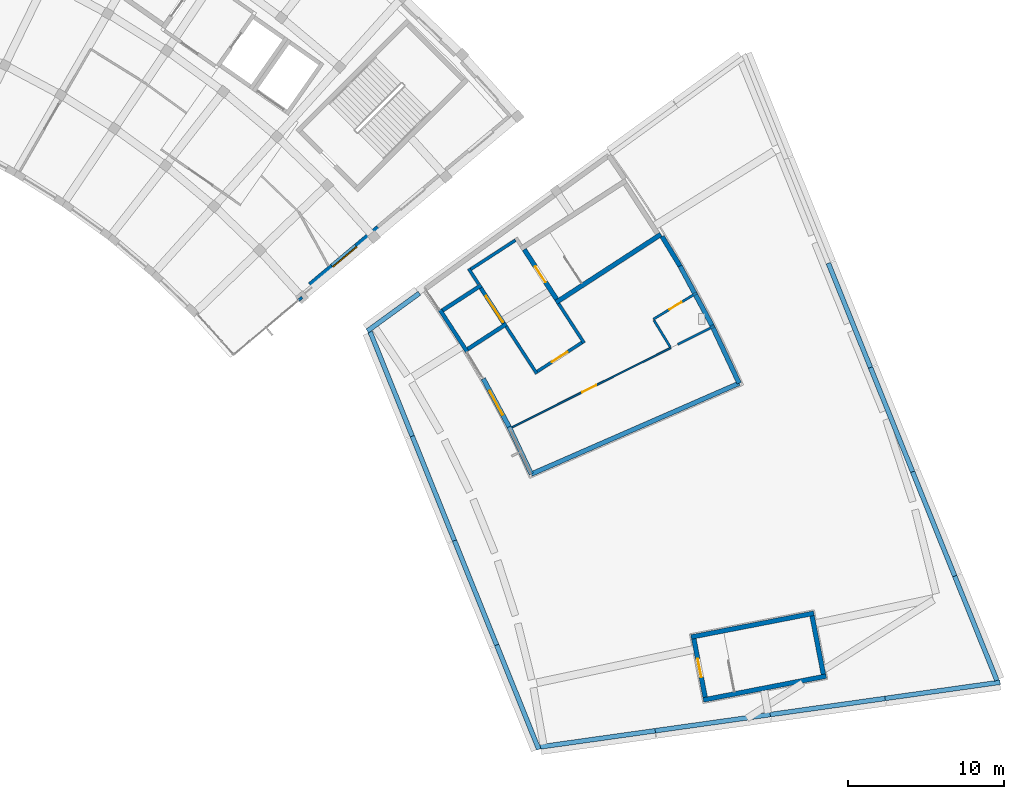
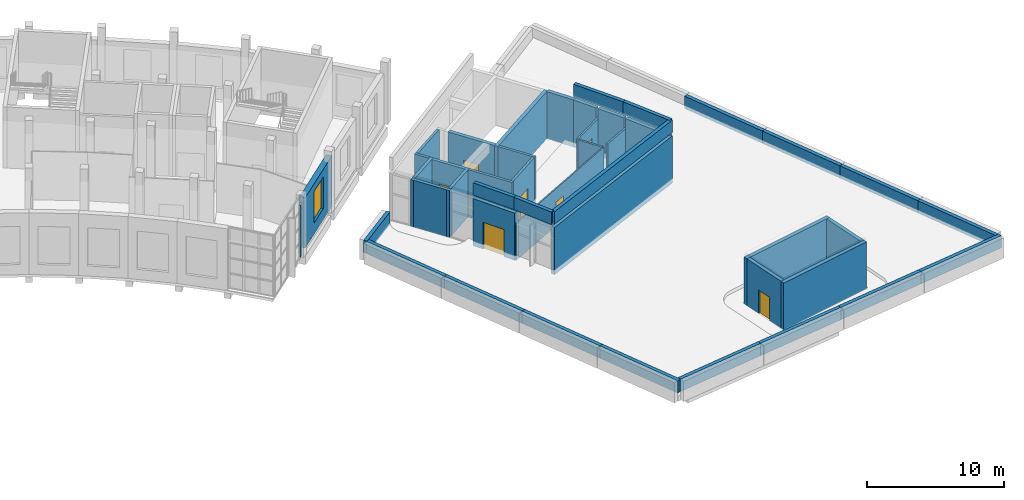
# One storey, part 79 of 132: 45 walls, 7 doors, 1 window, 8 openings.
"""IFC4 building model written with IfcOpenShell, lengths in metres."""

from ifc_helpers import new_model, si_unit, direction, frame, frame_2d, origin, place, context, subcontext, project, spatial, rectangle, extrude, material, layer, layer_set, type_object, element, fill, save


model = new_model("IFC4")

# Units and contexts
model_context = context("Model", 3, precision=1e-05, world=origin(), true_north=direction((0.0, 1.0)))
body_context = subcontext(model_context, "Body", "Model", "MODEL_VIEW")
ifc_project = project(units=[si_unit("LENGTHUNIT", "METRE"), si_unit("AREAUNIT", "SQUARE_METRE"), si_unit("VOLUMEUNIT", "CUBIC_METRE"), si_unit("PLANEANGLEUNIT", "RADIAN"), si_unit("MASSUNIT", "GRAM", prefix="KILO")], contexts=[model_context])

# Site, building, storey
site_placement = place(None, origin())
site = spatial("IfcSite", under=ifc_project, at=site_placement, CompositionType="ELEMENT")
building_placement = place(site_placement, origin())
building = spatial("IfcBuilding", under=site, at=building_placement, Name="Lunette Opera House", CompositionType="ELEMENT")
storey_placement = place(building_placement, frame((0.0, 0.0, 17.0)))
storey = spatial("IfcBuildingStorey", under=building, at=storey_placement, Name="L03", CompositionType="ELEMENT", Elevation=17.0)

# Wall, opening, window
ifc_material_1 = material(Name="Clinker brick", Category="masonry")
ifc_layer_1 = layer(ifc_material_1, 0.449951171875)
ifc_layer_set_1 = layer_set([ifc_layer_1], Name="Clinker brick")
wall_type_1 = type_object("IfcWallType", Name="ARM END WALL 450", PredefinedType="SOLIDWALL", material=ifc_layer_set_1)
wall_1_placement = place(storey_placement, frame((140.97509765625, 38.032958984375, 0.0), z_axis=(0.0, 0.0, 1.0), x_axis=(0.766065006368, 0.642763102565, 0.0)))
wall_1 = element("IfcWall", 1, at=wall_1_placement, inside=storey, type_object=wall_type_1, Name="Arm End Wall 450 EN-E1 L03", PredefinedType="SOLIDWALL", context=body_context, shape_type="SweptSolid", body=[
    extrude(rectangle(XDim=5.700439453125, YDim=0.449951171875, at=frame_2d((2.85009765625, 0.0))), origin(), (0.0, 0.0, 1.0), 4.47998046875),
])
opening_1_placement = place(wall_1_placement, frame((1.85009765625, 0.0, 1.0)))
opening_1 = element("IfcOpeningElement", 2, at=opening_1_placement, cuts=wall_1, Name="Opening FC-N2101", PredefinedType="OPENING", context=body_context, shape_type="SweptSolid", body=[
    extrude(rectangle(XDim=2.0, YDim=2.800048828125, at=frame_2d((1.0, 1.39990234375))), frame((0.0, 0.237060546875, 0.0), z_axis=(0.0, -1.0, 0.0), x_axis=(1.0, 0.0, 0.0)), (0.0, 0.0, 1.0), 0.473876953125),
])
ifc_material_2 = material(Name="Aluminium", Category="aluminium")
window_type = type_object("IfcWindowType", Name="ARM WINDOW 2000 X 2800", PartitioningType="DOUBLE_PANEL_VERTICAL", PredefinedType="WINDOW", material=ifc_material_2)
window_placement = place(opening_1_placement, origin())
window = element("IfcWindow", 3, at=window_placement, inside=storey, type_object=window_type, Name="Arm Window 2000 X 2800 EN-E1 L03", OverallHeight=2.800048828125, OverallWidth=2.0, PartitioningType="DOUBLE_PANEL_VERTICAL", PredefinedType="WINDOW", context=body_context, shape_type="SweptSolid", body=[
    extrude(rectangle(XDim=2.0, YDim=2.800048828125, at=frame_2d((1.0, 1.39990234375))), frame((0.0, 0.030029296875, 0.0), z_axis=(0.0, -1.0, 0.0), x_axis=(1.0, 0.0, 0.0)), (0.0, 0.0, 1.0), 0.06005859375),
])
fill(opening_1, window)

# Wall, opening, door
ifc_material_3 = material(Name="Plastered clay blockwork", Category="masonry")
ifc_layer_2 = layer(ifc_material_3, 0.14990234375)
ifc_layer_set_2 = layer_set([ifc_layer_2], Name="Plastered clay blockwork")
wall_type_2 = type_object("IfcWallType", Name="BLOCK PARTITION 150", PredefinedType="PARTITIONING", material=ifc_layer_set_2)
wall_2_placement = place(storey_placement, frame((165.6640625, 37.56591796875, 0.0), z_axis=(0.0, 0.0, 1.0), x_axis=(-0.854618188907, -0.519256922139, 0.0)))
wall_2 = element("IfcWall", 4, at=wall_2_placement, inside=storey, type_object=wall_type_2, Name="Partition Accessible WC L03 Studio", PredefinedType="PARTITIONING", context=body_context, shape_type="SweptSolid", body=[
    extrude(rectangle(XDim=3.24462890625, YDim=0.14990234375, at=frame_2d((1.622314453125, 0.0))), origin(), (0.0, 0.0, 1.0), 3.300048828125),
])
opening_2_placement = place(wall_2_placement, frame((1.14697265625, 0.0, 0.0)))
opening_2 = element("IfcOpeningElement", 5, at=opening_2_placement, cuts=wall_2, Name="Opening SB-D3024", PredefinedType="OPENING", context=body_context, shape_type="SweptSolid", body=[
    extrude(rectangle(XDim=0.89990234375, YDim=2.10009765625, at=frame_2d((0.449951171875, 1.050048828125))), frame((0.0, 0.0869140625, 0.0), z_axis=(0.0, -1.0, 0.0), x_axis=(1.0, 0.0, 0.0)), (0.0, 0.0, 1.0), 0.173828125),
])
ifc_material_4 = material(Name="Timber", Category="wood")
door_type_1 = type_object("IfcDoorType", Name="FLUSH DOOR 900 X 2100", OperationType="SINGLE_SWING_LEFT", PredefinedType="DOOR", material=ifc_material_4)
door_1_placement = place(opening_2_placement, origin())
door_1 = element("IfcDoor", 6, at=door_1_placement, inside=storey, type_object=door_type_1, Name="Accessible WC L03 Studio door", OperationType="SINGLE_SWING_LEFT", OverallHeight=2.10009765625, OverallWidth=0.89990234375, PredefinedType="DOOR", context=body_context, shape_type="SweptSolid", body=[
    extrude(rectangle(XDim=0.89990234375, YDim=2.10009765625, at=frame_2d((0.449951171875, 1.050048828125))), frame((0.0, 0.02490234375, 0.0), z_axis=(0.0, -1.0, 0.0), x_axis=(1.0, 0.0, 0.0)), (0.0, 0.0, 1.0), 0.050048828125),
])
fill(opening_2, door_1)

# Walls
wall_3_placement = place(storey_placement, frame((166.77294921875, 35.43603515625, 0.0), z_axis=(0.0, 0.0, 1.0), x_axis=(-0.894257884581, -0.447552048218, 0.0)))
element("IfcWall", 7, at=wall_3_placement, inside=storey, type_object=wall_type_2, Name="Partition Studio Garden Cafe", PredefinedType="PARTITIONING", context=body_context, shape_type="SweptSolid", body=[
    extrude(rectangle(XDim=2.5966796875, YDim=0.14990234375, at=frame_2d((1.29833984375, 0.0))), origin(), (0.0, 0.0, 1.0), 3.300048828125),
])
wall_4_placement = place(storey_placement, frame((162.929931640625, 35.81591796875, 0.0), z_axis=(0.0, 0.0, 1.0), x_axis=(0.519720333425, -0.854336453059, 0.0)))
element("IfcWall", 8, at=wall_4_placement, inside=storey, type_object=wall_type_2, Name="Partition Accessible WC L03 Studio", PredefinedType="PARTITIONING", context=body_context, shape_type="SweptSolid", body=[
    extrude(rectangle(XDim=2.0166015625, YDim=0.14990234375, at=frame_2d((1.00830078125, 0.0))), origin(), (0.0, 0.0, 1.0), 3.300048828125),
])
ifc_material_5 = material(Name="Insulated aluminium sandwich panel", Category="aluminium")
ifc_layer_3 = layer(ifc_material_5, 0.179931640625)
ifc_layer_set_3 = layer_set([ifc_layer_3], Name="Insulated aluminium sandwich panel")
wall_type_3 = type_object("IfcWallType", Name="CURTAIN WALL INFILL 180", PredefinedType="SOLIDWALL", material=ifc_layer_set_3)
wall_5_placement = place(storey_placement, frame((140.199951171875, 37.089111328125, 0.0), z_axis=(0.0, 0.0, 1.0), x_axis=(0.767105498424, 0.641520969485, 0.0)))
element("IfcWall", 9, at=wall_5_placement, inside=storey, type_object=wall_type_3, Name="Curtain Wall Infill 180 IN11 L03", PredefinedType="SOLIDWALL", context=body_context, shape_type="SweptSolid", body=[
    extrude(rectangle(XDim=0.30517578125, YDim=0.179931640625, at=frame_2d((0.152587890625, 0.0))), origin(), (0.0, 0.0, 1.0), 4.64990234375),
])
ifc_material_6 = material(Name="Concrete C35/45", Category="concrete")
ifc_layer_4 = layer(ifc_material_6, 0.199951171875)
ifc_layer_set_4 = layer_set([ifc_layer_4], Name="Concrete C35/45")
wall_type_4 = type_object("IfcWallType", Name="LOBBY WALL 200", PredefinedType="PARTITIONING", material=ifc_layer_set_4)
wall_6_placement = place(storey_placement, frame((151.0849609375, 39.111083984375, 0.0), z_axis=(0.0, 0.0, 1.0), x_axis=(0.544733903653, -0.838608951903, 0.0)))
element("IfcWall", 10, at=wall_6_placement, inside=storey, type_object=wall_type_4, Name="LL-ST lobby wall 1a", PredefinedType="PARTITIONING", context=body_context, shape_type="SweptSolid", body=[
    extrude(rectangle(XDim=1.180419921875, YDim=0.199951171875, at=frame_2d((0.59033203125, 0.0))), origin(), (0.0, 0.0, 1.0), 4.199951171875),
])
wall_7_placement = place(storey_placement, frame((153.47607421875, 35.428955078125, 0.0), z_axis=(0.0, 0.0, 1.0), x_axis=(0.544669706692, -0.838650648728, 0.0)))
element("IfcWall", 11, at=wall_7_placement, inside=storey, type_object=wall_type_4, Name="LL-ST lobby wall 1b", PredefinedType="PARTITIONING", context=body_context, shape_type="SweptSolid", body=[
    extrude(rectangle(XDim=3.609130859375, YDim=0.199951171875, at=frame_2d((1.8046875, 0.0))), origin(), (0.0, 0.0, 1.0), 4.199951171875),
])

# Wall, opening, door
wall_8_placement = place(storey_placement, frame((155.470947265625, 32.5400390625, 0.0), z_axis=(0.0, 0.0, 1.0), x_axis=(0.838683012783, 0.544619871167, 0.0)))
wall_8 = element("IfcWall", 12, at=wall_8_placement, inside=storey, type_object=wall_type_4, Name="LL-ST lobby wall 2a", PredefinedType="PARTITIONING", context=body_context, shape_type="SweptSolid", body=[
    extrude(rectangle(XDim=3.400634765625, YDim=0.199951171875, at=frame_2d((1.7001953125, 0.0))), origin(), (0.0, 0.0, 1.0), 4.199951171875),
])
opening_3_placement = place(wall_8_placement, frame((1.10009765625, 0.0, 0.0)))
opening_3 = element("IfcOpeningElement", 13, at=opening_3_placement, cuts=wall_8, Name="Opening SB-D7013", PredefinedType="OPENING", context=body_context, shape_type="SweptSolid", body=[
    extrude(rectangle(XDim=1.199951171875, YDim=2.10009765625, at=frame_2d((0.60009765625, 1.050048828125))), frame((0.0, 0.112060546875, 0.0), z_axis=(0.0, -1.0, 0.0), x_axis=(1.0, 0.0, 0.0)), (0.0, 0.0, 1.0), 0.223876953125),
])
ifc_material_7 = material(Name="Steel", Category="steel")
door_type_2 = type_object("IfcDoorType", Name="FIRE DOOR 1200 X 2100", OperationType="SINGLE_SWING_LEFT", PredefinedType="DOOR", material=ifc_material_7)
door_2_placement = place(opening_3_placement, origin())
door_2 = element("IfcDoor", 14, at=door_2_placement, inside=storey, type_object=door_type_2, Name="LL-ST lobby door", OperationType="SINGLE_SWING_LEFT", OverallHeight=2.10009765625, OverallWidth=1.199951171875, PredefinedType="DOOR", context=body_context, shape_type="SweptSolid", body=[
    extrude(rectangle(XDim=1.199951171875, YDim=2.10009765625, at=frame_2d((0.60009765625, 1.050048828125))), frame((0.0, 0.02490234375, 0.0), z_axis=(0.0, -1.0, 0.0), x_axis=(1.0, 0.0, 0.0)), (0.0, 0.0, 1.0), 0.050048828125),
])
fill(opening_3, door_2)

# Walls
wall_9_placement = place(storey_placement, frame((158.4619140625, 34.363037109375, 0.0), z_axis=(0.0, 0.0, 1.0), x_axis=(-0.544606183959, 0.838691900756, 0.0)))
element("IfcWall", 15, at=wall_9_placement, inside=storey, type_object=wall_type_4, Name="LL-ST lobby wall 3a", PredefinedType="PARTITIONING", context=body_context, shape_type="SweptSolid", body=[
    extrude(rectangle(XDim=3.00927734375, YDim=0.199951171875, at=frame_2d((1.504638671875, 0.0))), origin(), (0.0, 0.0, 1.0), 4.199951171875),
])
wall_10_placement = place(storey_placement, frame((154.075927734375, 40.93408203125, 0.0), z_axis=(0.0, 0.0, 1.0), x_axis=(-0.838661716351, -0.544652665032, 0.0)))
element("IfcWall", 16, at=wall_10_placement, inside=storey, type_object=wall_type_4, Name="LL-ST lobby wall 4a", PredefinedType="PARTITIONING", context=body_context, shape_type="SweptSolid", body=[
    extrude(rectangle(XDim=3.400390625, YDim=0.199951171875, at=frame_2d((1.7001953125, 0.0))), origin(), (0.0, 0.0, 1.0), 4.199951171875),
])

# Wall, opening, door
ifc_material_8 = material(Name="Insulated aluminium sandwich panel", Category="aluminium")
ifc_layer_5 = layer(ifc_material_8, 0.300048828125)
ifc_layer_set_5 = layer_set([ifc_layer_5], Name="Insulated aluminium sandwich panel")
wall_type_5 = type_object("IfcWallType", Name="PAVILION WALL 300", PredefinedType="SOLIDWALL", material=ifc_layer_set_5)
wall_11_placement = place(storey_placement, frame((152.013916015625, 32.080078125, 0.0), z_axis=(0.0, 0.0, 1.0), x_axis=(0.473342621424, -0.880878404062, 0.0)))
wall_11 = element("IfcWall", 17, at=wall_11_placement, inside=storey, type_object=wall_type_5, Name="Pavilion Wall 300 PAV5 L03", PredefinedType="SOLIDWALL", context=body_context, shape_type="SweptSolid", body=[
    extrude(rectangle(XDim=3.557861328125, YDim=0.300048828125, at=frame_2d((1.77880859375, 0.0))), origin(), (0.0, 0.0, 1.0), 4.199951171875),
])
opening_4_placement = place(wall_11_placement, frame((0.845947265625, 0.0, 0.0)))
opening_4 = element("IfcOpeningElement", 18, at=opening_4_placement, cuts=wall_11, Name="Opening SB-D2005", PredefinedType="OPENING", context=body_context, shape_type="SweptSolid", body=[
    extrude(rectangle(XDim=1.800048828125, YDim=2.39990234375, at=frame_2d((0.89990234375, 1.199951171875))), frame((0.0, 0.162109375, 0.0), z_axis=(0.0, -1.0, 0.0), x_axis=(1.0, 0.0, 0.0)), (0.0, 0.0, 1.0), 0.323974609375),
])
ifc_material_9 = material(Name="Aluminium", Category="aluminium")
door_type_3 = type_object("IfcDoorType", Name="ROOF GARDEN DOOR 1800 X 2400", OperationType="DOUBLE_DOOR_DOUBLE_SWING", PredefinedType="DOOR", material=ifc_material_9)
door_3_placement = place(opening_4_placement, origin())
door_3 = element("IfcDoor", 19, at=door_3_placement, inside=storey, type_object=door_type_3, Name="Roof Garden Door 1800 X 2400 RG L03", OperationType="DOUBLE_DOOR_DOUBLE_SWING", OverallHeight=2.39990234375, OverallWidth=1.800048828125, PredefinedType="DOOR", context=body_context, shape_type="SweptSolid", body=[
    extrude(rectangle(XDim=1.800048828125, YDim=2.39990234375, at=frame_2d((0.89990234375, 1.199951171875))), frame((0.0, 0.02490234375, 0.0), z_axis=(0.0, -1.0, 0.0), x_axis=(1.0, 0.0, 0.0)), (0.0, 0.0, 1.0), 0.050048828125),
])
fill(opening_4, door_3)

# Walls
wall_12_placement = place(storey_placement, frame((155.090087890625, 25.97900390625, 0.0), z_axis=(0.0, 0.0, 1.0), x_axis=(0.91633693282, 0.400408073781, 0.0)))
element("IfcWall", 20, at=wall_12_placement, inside=storey, type_object=wall_type_5, Name="Pavilion Wall 300 PAV7 L03", PredefinedType="SOLIDWALL", context=body_context, shape_type="SweptSolid", body=[
    extrude(rectangle(XDim=14.5, YDim=0.300048828125, at=frame_2d((7.25, 0.0))), origin(), (0.0, 0.0, 1.0), 4.199951171875),
])
wall_13_placement = place(storey_placement, frame((168.376953125, 31.784912109375, 0.0), z_axis=(0.0, 0.0, 1.0), x_axis=(-0.425420553877, 0.904995774763, 0.0)))
element("IfcWall", 21, at=wall_13_placement, inside=storey, type_object=wall_type_5, Name="Pavilion Wall 300 PAV8 L03", PredefinedType="SOLIDWALL", context=body_context, shape_type="SweptSolid", body=[
    extrude(rectangle(XDim=3.904052734375, YDim=0.300048828125, at=frame_2d((1.9521484375, 0.0))), origin(), (0.0, 0.0, 1.0), 4.199951171875),
])
wall_14_placement = place(storey_placement, frame((166.652099609375, 35.4619140625, 0.0), z_axis=(0.0, 0.0, 1.0), x_axis=(-0.473545896083, 0.880769143591, 0.0)))
element("IfcWall", 22, at=wall_14_placement, inside=storey, type_object=wall_type_5, Name="Pavilion Wall 300 PAV9 L03", PredefinedType="SOLIDWALL", context=body_context, shape_type="SweptSolid", body=[
    extrude(rectangle(XDim=2.234375, YDim=0.300048828125, at=frame_2d((1.1171875, 0.0))), origin(), (0.0, 0.0, 1.0), 4.199951171875),
])
wall_15_placement = place(storey_placement, frame((165.51806640625, 37.571044921875, 0.0), z_axis=(0.0, 0.0, 1.0), x_axis=(-0.473418775637, 0.880837478127, 0.0)))
element("IfcWall", 23, at=wall_15_placement, inside=storey, type_object=wall_type_5, Name="Pavilion Wall 300 PAV10 L03", PredefinedType="SOLIDWALL", context=body_context, shape_type="SweptSolid", body=[
    extrude(rectangle(XDim=1.94580078125, YDim=0.300048828125, at=frame_2d((0.972900390625, 0.0))), origin(), (0.0, 0.0, 1.0), 4.199951171875),
])
wall_16_placement = place(storey_placement, frame((164.596923828125, 39.284912109375, 0.0), z_axis=(0.0, 0.0, 1.0), x_axis=(-0.520332410011, 0.853963806664, 0.0)))
element("IfcWall", 24, at=wall_16_placement, inside=storey, type_object=wall_type_5, Name="Pavilion Wall 300 PAV11 L03", PredefinedType="SOLIDWALL", context=body_context, shape_type="SweptSolid", body=[
    extrude(rectangle(XDim=2.2099609375, YDim=0.300048828125, at=frame_2d((1.10498046875, 0.0))), origin(), (0.0, 0.0, 1.0), 4.199951171875),
])
ifc_material_10 = material(Name="Concrete C35/45", Category="concrete")
ifc_layer_6 = layer(ifc_material_10, 0.25)
ifc_layer_set_6 = layer_set([ifc_layer_6], Name="Concrete C35/45")
wall_type_6 = type_object("IfcWallType", Name="RC LIFT SHAFT WALL 250", PredefinedType="SOLIDWALL", material=ifc_layer_set_6)
for number, where, z_axis, x_axis, name in (
    (25, (149.243896484375, 36.485107421875, 0.0), (0.0, 0.0, 1.0), (0.54466119011, -0.838656179842, 0.0), "LF8 shaft wall 1"),
    (26, (150.81396484375, 33.837890625, 0.0), (0.0, 0.0, 1.0), (0.838656179842, 0.54466119011, 0.0), "LF8 shaft wall 2"),
):
    element("IfcWall", number, at=place(storey_placement, frame(where, z_axis=z_axis, x_axis=x_axis)), inside=storey, type_object=wall_type_6, Name=name, PredefinedType="SOLIDWALL", context=body_context, shape_type="SweptSolid", body=[
        extrude(rectangle(XDim=3.200439453125, YDim=0.25, at=frame_2d((1.60009765625, 0.0))), origin(), (0.0, 0.0, 1.0), 4.199951171875),
    ])

# Wall, opening, door
wall_17_placement = place(storey_placement, frame((153.4609375, 35.407958984375, 0.0), z_axis=(0.0, 0.0, 1.0), x_axis=(-0.544746938909, 0.838600484467, 0.0)))
wall_17 = element("IfcWall", 27, at=wall_17_placement, inside=storey, type_object=wall_type_6, Name="LF8 shaft wall 3", PredefinedType="SOLIDWALL", context=body_context, shape_type="SweptSolid", body=[
    extrude(rectangle(XDim=3.199462890625, YDim=0.25, at=frame_2d((1.599609375, 0.0))), origin(), (0.0, 0.0, 1.0), 4.199951171875),
])
opening_5_placement = place(wall_17_placement, frame((0.35009765625, 0.0, 0.0)))
opening_5 = element("IfcOpeningElement", 28, at=opening_5_placement, cuts=wall_17, Name="Opening SB-LD005", PredefinedType="OPENING", context=body_context, shape_type="SweptSolid", body=[
    extrude(rectangle(XDim=2.0, YDim=2.199951171875, at=frame_2d((1.0, 1.10009765625))), frame((0.0, 0.136962890625, 0.0), z_axis=(0.0, -1.0, 0.0), x_axis=(1.0, 0.0, 0.0)), (0.0, 0.0, 1.0), 0.27392578125),
])
ifc_material_11 = material(Name="Stainless steel", Category="steel")
door_type_4 = type_object("IfcDoorType", Name="LIFT LANDING DOOR 2000 X 2200", OperationType="DOUBLE_DOOR_SLIDING", PredefinedType="DOOR", material=ifc_material_11)
door_4_placement = place(opening_5_placement, origin())
door_4 = element("IfcDoor", 29, at=door_4_placement, inside=storey, type_object=door_type_4, Name="LF8 lift landing door", OperationType="DOUBLE_DOOR_SLIDING", OverallHeight=2.199951171875, OverallWidth=2.0, PredefinedType="DOOR", context=body_context, shape_type="SweptSolid", body=[
    extrude(rectangle(XDim=2.0, YDim=2.199951171875, at=frame_2d((1.0, 1.10009765625))), frame((0.0, 0.02490234375, 0.0), z_axis=(0.0, -1.0, 0.0), x_axis=(1.0, 0.0, 0.0)), (0.0, 0.0, 1.0), 0.050048828125),
])
fill(opening_5, door_4)

# Wall
wall_18_placement = place(storey_placement, frame((151.89111328125, 38.053955078125, 0.0), z_axis=(0.0, 0.0, 1.0), x_axis=(-0.838830397361, -0.544392840201, 0.0)))
element("IfcWall", 30, at=wall_18_placement, inside=storey, type_object=wall_type_6, Name="LF8 shaft wall 4", PredefinedType="SOLIDWALL", context=body_context, shape_type="SweptSolid", body=[
    extrude(rectangle(XDim=3.19970703125, YDim=0.25, at=frame_2d((1.599853515625, 0.0))), origin(), (0.0, 0.0, 1.0), 4.199951171875),
])

# Wall, opening, door
ifc_material_12 = material(Name="Concrete C35/45", Category="concrete")
ifc_layer_7 = layer(ifc_material_12, 0.300048828125)
ifc_layer_set_7 = layer_set([ifc_layer_7], Name="Concrete C35/45")
wall_type_7 = type_object("IfcWallType", Name="RC STAIR ENCLOSURE WALL 300", PredefinedType="SOLIDWALL", material=ifc_layer_set_7)
wall_19_placement = place(storey_placement, frame((154.635986328125, 40.343994140625, 0.0), z_axis=(0.0, 0.0, 1.0), x_axis=(0.544712834543, -0.838622637355, 0.0)))
wall_19 = element("IfcWall", 31, at=wall_19_placement, inside=storey, type_object=wall_type_7, Name="ST21 enclosure wall 1", PredefinedType="SOLIDWALL", context=body_context, shape_type="SweptSolid", body=[
    extrude(rectangle(XDim=3.80029296875, YDim=0.300048828125, at=frame_2d((1.900146484375, 0.0))), origin(), (0.0, 0.0, 1.0), 4.199951171875),
])
opening_6_placement = place(wall_19_placement, frame((1.300048828125, 0.0, 0.0)))
opening_6 = element("IfcOpeningElement", 32, at=opening_6_placement, cuts=wall_19, Name="Opening SB-D7005", PredefinedType="OPENING", context=body_context, shape_type="SweptSolid", body=[
    extrude(rectangle(XDim=1.199951171875, YDim=2.10009765625, at=frame_2d((0.60009765625, 1.050048828125))), frame((0.0, 0.162109375, 0.0), z_axis=(0.0, -1.0, 0.0), x_axis=(1.0, 0.0, 0.0)), (0.0, 0.0, 1.0), 0.323974609375),
])
door_5_placement = place(opening_6_placement, origin())
door_5 = element("IfcDoor", 33, at=door_5_placement, inside=storey, type_object=door_type_2, Name="ST21 stair door", OperationType="SINGLE_SWING_LEFT", OverallHeight=2.10009765625, OverallWidth=1.199951171875, PredefinedType="DOOR", context=body_context, shape_type="SweptSolid", body=[
    extrude(rectangle(XDim=1.199951171875, YDim=2.10009765625, at=frame_2d((0.60009765625, 1.050048828125))), frame((0.0, 0.02490234375, 0.0), z_axis=(0.0, -1.0, 0.0), x_axis=(1.0, 0.0, 0.0)), (0.0, 0.0, 1.0), 0.050048828125),
])
fill(opening_6, door_5)

# Wall
wall_20_placement = place(storey_placement, frame((156.662109375, 36.949951171875, 0.0), z_axis=(0.0, 0.0, 1.0), x_axis=(0.838666673849, 0.544645031351, 0.0)))
element("IfcWall", 34, at=wall_20_placement, inside=storey, type_object=wall_type_7, Name="ST21 enclosure wall 2", PredefinedType="SOLIDWALL", context=body_context, shape_type="SweptSolid", body=[
    extrude(rectangle(XDim=7.99951171875, YDim=0.300048828125, at=frame_2d((3.999755859375, 0.0))), origin(), (0.0, 0.0, 1.0), 4.199951171875),
])

# Wall, opening, door
wall_21_placement = place(storey_placement, frame((165.47998046875, 15.44091796875, 0.0), z_axis=(0.0, 0.0, 1.0), x_axis=(0.190824946063, -0.981624082814, 0.0)))
wall_21 = element("IfcWall", 35, at=wall_21_placement, inside=storey, type_object=wall_type_7, Name="ST22 enclosure wall 1", PredefinedType="SOLIDWALL", context=body_context, shape_type="SweptSolid", body=[
    extrude(rectangle(XDim=3.7998046875, YDim=0.300048828125, at=frame_2d((1.89990234375, 0.0))), origin(), (0.0, 0.0, 1.0), 4.199951171875),
])
opening_7_placement = place(wall_21_placement, frame((1.300048828125, 0.0, 0.0)))
opening_7 = element("IfcOpeningElement", 36, at=opening_7_placement, cuts=wall_21, Name="Opening SB-D7010", PredefinedType="OPENING", context=body_context, shape_type="SweptSolid", body=[
    extrude(rectangle(XDim=1.199951171875, YDim=2.10009765625, at=frame_2d((0.60009765625, 1.050048828125))), frame((0.0, 0.162109375, 0.0), z_axis=(0.0, -1.0, 0.0), x_axis=(1.0, 0.0, 0.0)), (0.0, 0.0, 1.0), 0.323974609375),
])
door_6_placement = place(opening_7_placement, origin())
door_6 = element("IfcDoor", 37, at=door_6_placement, inside=storey, type_object=door_type_2, Name="ST22 stair door", OperationType="SINGLE_SWING_LEFT", OverallHeight=2.10009765625, OverallWidth=1.199951171875, PredefinedType="DOOR", context=body_context, shape_type="SweptSolid", body=[
    extrude(rectangle(XDim=1.199951171875, YDim=2.10009765625, at=frame_2d((0.60009765625, 1.050048828125))), frame((0.0, 0.02490234375, 0.0), z_axis=(0.0, -1.0, 0.0), x_axis=(1.0, 0.0, 0.0)), (0.0, 0.0, 1.0), 0.050048828125),
])
fill(opening_7, door_6)

# Walls
wall_22_placement = place(storey_placement, frame((166.0859375, 11.534912109375, 0.0), z_axis=(0.0, 0.0, 1.0), x_axis=(0.981635396686, 0.190766737073, 0.0)))
element("IfcWall", 38, at=wall_22_placement, inside=storey, type_object=wall_type_7, Name="ST22 enclosure wall 2", PredefinedType="SOLIDWALL", context=body_context, shape_type="SweptSolid", body=[
    extrude(rectangle(XDim=8.0, YDim=0.300048828125, at=frame_2d((4.0, 0.0))), origin(), (0.0, 0.0, 1.0), 4.199951171875),
])
wall_23_placement = place(storey_placement, frame((173.763916015625, 13.179931640625, 0.0), z_axis=(0.0, 0.0, 1.0), x_axis=(-0.190763033741, 0.981636116368, 0.0)))
element("IfcWall", 39, at=wall_23_placement, inside=storey, type_object=wall_type_7, Name="ST22 enclosure wall 3", PredefinedType="SOLIDWALL", context=body_context, shape_type="SweptSolid", body=[
    extrude(rectangle(XDim=3.7998046875, YDim=0.300048828125, at=frame_2d((1.89990234375, 0.0))), origin(), (0.0, 0.0, 1.0), 4.199951171875),
])
wall_24_placement = place(storey_placement, frame((173.157958984375, 17.0859375, 0.0), z_axis=(0.0, 0.0, 1.0), x_axis=(-0.981641111144, -0.190737329623, 0.0)))
element("IfcWall", 40, at=wall_24_placement, inside=storey, type_object=wall_type_7, Name="ST22 enclosure wall 4", PredefinedType="SOLIDWALL", context=body_context, shape_type="SweptSolid", body=[
    extrude(rectangle(XDim=8.0, YDim=0.300048828125, at=frame_2d((4.0, 0.0))), origin(), (0.0, 0.0, 1.0), 4.199951171875),
])
ifc_material_13 = material(Name="Clinker brick", Category="masonry")
ifc_layer_8 = layer(ifc_material_13, 0.300048828125)
ifc_layer_set_8 = layer_set([ifc_layer_8], Name="Clinker brick")
wall_type_8 = type_object("IfcWallType", Name="ROOF PARAPET WALL 300", PredefinedType="PARAPET", material=ifc_layer_set_8)
wall_25_placement = place(storey_placement, frame((144.780029296875, 35.074951171875, 0.0), z_axis=(0.0, 0.0, 1.0), x_axis=(0.374668843512, -0.927158701465, 0.0)))
element("IfcWall", 41, at=wall_25_placement, inside=storey, type_object=wall_type_8, Name="Roof Parapet Wall 300 PA-L02-01 L03", PredefinedType="PARAPET", context=body_context, shape_type="SweptSolid", body=[
    extrude(rectangle(XDim=7.198486328125, YDim=0.300048828125, at=frame_2d((3.59912109375, 0.0))), origin(), (0.0, 0.0, 1.0), 1.10009765625),
])
wall_26_placement = place(storey_placement, frame((147.47705078125, 28.40087890625, 0.0), z_axis=(0.0, 0.0, 1.0), x_axis=(0.374633501724, -0.92717298245, 0.0)))
element("IfcWall", 42, at=wall_26_placement, inside=storey, type_object=wall_type_8, Name="Roof Parapet Wall 300 PA-L02-02 L03", PredefinedType="PARAPET", context=body_context, shape_type="SweptSolid", body=[
    extrude(rectangle(XDim=7.198974609375, YDim=0.300048828125, at=frame_2d((3.599609375, 0.0))), origin(), (0.0, 0.0, 1.0), 1.10009765625),
])
wall_27_placement = place(storey_placement, frame((150.174072265625, 21.72607421875, 0.0), z_axis=(0.0, 0.0, 1.0), x_axis=(0.374621722489, -0.927177741881, 0.0)))
element("IfcWall", 43, at=wall_27_placement, inside=storey, type_object=wall_type_8, Name="Roof Parapet Wall 300 PA-L02-03 L03", PredefinedType="PARAPET", context=body_context, shape_type="SweptSolid", body=[
    extrude(rectangle(XDim=7.19921875, YDim=0.300048828125, at=frame_2d((3.599609375, 0.0))), origin(), (0.0, 0.0, 1.0), 1.10009765625),
])
wall_28_placement = place(storey_placement, frame((152.87109375, 15.051025390625, 0.0), z_axis=(0.0, 0.0, 1.0), x_axis=(0.374475946506, -0.927236628638, 0.0)))
element("IfcWall", 44, at=wall_28_placement, inside=storey, type_object=wall_type_8, Name="Roof Parapet Wall 300 PA-L02-04 L03", PredefinedType="PARAPET", context=body_context, shape_type="SweptSolid", body=[
    extrude(rectangle(XDim=7.198974609375, YDim=0.300048828125, at=frame_2d((3.599609375, 0.0))), origin(), (0.0, 0.0, 1.0), 1.10009765625),
])
wall_29_placement = place(storey_placement, frame((155.659912109375, 8.535888671875, 0.0), z_axis=(0.0, 0.0, 1.0), x_axis=(0.990264089852, 0.139201409296, 0.0)))
element("IfcWall", 45, at=wall_29_placement, inside=storey, type_object=wall_type_8, Name="Roof Parapet Wall 300 PA-L02-05 L03", PredefinedType="PARAPET", context=body_context, shape_type="SweptSolid", body=[
    extrude(rectangle(XDim=7.42236328125, YDim=0.300048828125, at=frame_2d((3.711181640625, 0.0))), origin(), (0.0, 0.0, 1.0), 1.10009765625),
])
wall_30_placement = place(storey_placement, frame((163.010009765625, 9.569091796875, 0.0), z_axis=(0.0, 0.0, 1.0), x_axis=(0.990271171238, 0.139151023763, 0.0)))
element("IfcWall", 46, at=wall_30_placement, inside=storey, type_object=wall_type_8, Name="Roof Parapet Wall 300 PA-L02-06 L03", PredefinedType="PARAPET", context=body_context, shape_type="SweptSolid", body=[
    extrude(rectangle(XDim=7.42333984375, YDim=0.300048828125, at=frame_2d((3.711669921875, 0.0))), origin(), (0.0, 0.0, 1.0), 1.10009765625),
])
wall_31_placement = place(storey_placement, frame((170.361083984375, 10.60205078125, 0.0), z_axis=(0.0, 0.0, 1.0), x_axis=(0.990267986364, 0.139173687105, 0.0)))
element("IfcWall", 47, at=wall_31_placement, inside=storey, type_object=wall_type_8, Name="Roof Parapet Wall 300 PA-L02-07 L03", PredefinedType="PARAPET", context=body_context, shape_type="SweptSolid", body=[
    extrude(rectangle(XDim=7.422119140625, YDim=0.300048828125, at=frame_2d((3.7109375, 0.0))), origin(), (0.0, 0.0, 1.0), 1.10009765625),
])
wall_32_placement = place(storey_placement, frame((177.7109375, 11.635009765625, 0.0), z_axis=(0.0, 0.0, 1.0), x_axis=(0.990253035417, 0.139280026735, 0.0)))
element("IfcWall", 48, at=wall_32_placement, inside=storey, type_object=wall_type_8, Name="Roof Parapet Wall 300 PA-L02-08 L03", PredefinedType="PARAPET", context=body_context, shape_type="SweptSolid", body=[
    extrude(rectangle(XDim=7.42333984375, YDim=0.300048828125, at=frame_2d((3.711669921875, 0.0))), origin(), (0.0, 0.0, 1.0), 1.10009765625),
])
for number, where, z_axis, x_axis, name in (
    (49, (184.85693359375, 12.787109375, 0.0), (0.0, 0.0, 1.0), (-0.374606695827, 0.92718381319, 0.0), "Roof Parapet Wall 300 PA-L02-09 L03"),
    (50, (182.162109375, 19.45703125, 0.0), (0.0, 0.0, 1.0), (-0.374635870671, 0.92717202525, 0.0), "Roof Parapet Wall 300 PA-L02-10 L03"),
):
    element("IfcWall", number, at=place(storey_placement, frame(where, z_axis=z_axis, x_axis=x_axis)), inside=storey, type_object=wall_type_8, Name=name, PredefinedType="PARAPET", context=body_context, shape_type="SweptSolid", body=[
        extrude(rectangle(XDim=7.19384765625, YDim=0.300048828125, at=frame_2d((3.596923828125, 0.0))), origin(), (0.0, 0.0, 1.0), 1.10009765625),
    ])
wall_33_placement = place(storey_placement, frame((179.467041015625, 26.126953125, 0.0), z_axis=(0.0, 0.0, 1.0), x_axis=(-0.37456631317, 0.927200127825, 0.0)))
element("IfcWall", 51, at=wall_33_placement, inside=storey, type_object=wall_type_8, Name="Roof Parapet Wall 300 PA-L02-11 L03", PredefinedType="PARAPET", context=body_context, shape_type="SweptSolid", body=[
    extrude(rectangle(XDim=7.192626953125, YDim=0.300048828125, at=frame_2d((3.59619140625, 0.0))), origin(), (0.0, 0.0, 1.0), 1.10009765625),
])
wall_34_placement = place(storey_placement, frame((176.77294921875, 32.7958984375, 0.0), z_axis=(0.0, 0.0, 1.0), x_axis=(-0.374624082763, 0.92717678822, 0.0)))
element("IfcWall", 52, at=wall_34_placement, inside=storey, type_object=wall_type_8, Name="Roof Parapet Wall 300 PA-L02-12 L03", PredefinedType="PARAPET", context=body_context, shape_type="SweptSolid", body=[
    extrude(rectangle(XDim=7.194091796875, YDim=0.300048828125, at=frame_2d((3.59716796875, 0.0))), origin(), (0.0, 0.0, 1.0), 1.10009765625),
])
wall_35_placement = place(storey_placement, frame((147.928955078125, 37.54296875, 0.0), z_axis=(0.0, 0.0, 1.0), x_axis=(-0.808951728554, -0.587875072502, 0.0)))
element("IfcWall", 53, at=wall_35_placement, inside=storey, type_object=wall_type_8, Name="Roof Parapet Wall 300 PA-L02-17 L03", PredefinedType="PARAPET", context=body_context, shape_type="SweptSolid", body=[
    extrude(rectangle(XDim=4.111328125, YDim=0.300048828125, at=frame_2d((2.0556640625, 0.0))), origin(), (0.0, 0.0, 1.0), 1.10009765625),
])
wall_36_placement = place(storey_placement, frame((152.013916015625, 32.080078125, 4.5), z_axis=(0.0, 0.0, 1.0), x_axis=(0.473245174501, -0.880930760509, 0.0)))
element("IfcWall", 54, at=wall_36_placement, inside=storey, type_object=wall_type_8, Name="Roof Parapet Wall 300 PAVPA2 L03", PredefinedType="PARAPET", context=body_context, shape_type="SweptSolid", body=[
    extrude(rectangle(XDim=3.4931640625, YDim=0.300048828125, at=frame_2d((1.74658203125, 0.0))), origin(), (0.0, 0.0, 1.0), 1.10009765625),
])
wall_37_placement = place(storey_placement, frame((153.6669921875, 29.0029296875, 4.5), z_axis=(0.0, 0.0, 1.0), x_axis=(0.425814626448, -0.90481042429, 0.0)))
element("IfcWall", 55, at=wall_37_placement, inside=storey, type_object=wall_type_8, Name="Roof Parapet Wall 300 PAVPA3 L03", PredefinedType="PARAPET", context=body_context, shape_type="SweptSolid", body=[
    extrude(rectangle(XDim=3.342041015625, YDim=0.300048828125, at=frame_2d((1.6708984375, 0.0))), origin(), (0.0, 0.0, 1.0), 1.10009765625),
])
wall_38_placement = place(storey_placement, frame((155.090087890625, 25.97900390625, 4.5), z_axis=(0.0, 0.0, 1.0), x_axis=(0.91633693282, 0.400408073781, 0.0)))
element("IfcWall", 56, at=wall_38_placement, inside=storey, type_object=wall_type_8, Name="Roof Parapet Wall 300 PAVPA4 L03", PredefinedType="PARAPET", context=body_context, shape_type="SweptSolid", body=[
    extrude(rectangle(XDim=14.5, YDim=0.300048828125, at=frame_2d((7.25, 0.0))), origin(), (0.0, 0.0, 1.0), 1.10009765625),
])
wall_39_placement = place(storey_placement, frame((168.376953125, 31.784912109375, 4.5), z_axis=(0.0, 0.0, 1.0), x_axis=(-0.425523477846, 0.904947385102, 0.0)))
element("IfcWall", 57, at=wall_39_placement, inside=storey, type_object=wall_type_8, Name="Roof Parapet Wall 300 PAVPA5 L03", PredefinedType="PARAPET", context=body_context, shape_type="SweptSolid", body=[
    extrude(rectangle(XDim=4.12646484375, YDim=0.300048828125, at=frame_2d((2.063232421875, 0.0))), origin(), (0.0, 0.0, 1.0), 1.10009765625),
])
wall_40_placement = place(storey_placement, frame((166.62109375, 35.51904296875, 4.5), z_axis=(0.0, 0.0, 1.0), x_axis=(-0.473445882388, 0.880822908677, 0.0)))
element("IfcWall", 58, at=wall_40_placement, inside=storey, type_object=wall_type_8, Name="Roof Parapet Wall 300 PAVPA6 L03", PredefinedType="PARAPET", context=body_context, shape_type="SweptSolid", body=[
    extrude(rectangle(XDim=4.275390625, YDim=0.300048828125, at=frame_2d((2.1376953125, 0.0))), origin(), (0.0, 0.0, 1.0), 1.10009765625),
])

# Wall, opening, door
ifc_material_14 = material(Name="Gypsum board on steel studs", Category="steel")
ifc_layer_9 = layer(ifc_material_14, 0.10009765625)
ifc_layer_set_9 = layer_set([ifc_layer_9], Name="Gypsum board on steel studs")
wall_type_9 = type_object("IfcWallType", Name="STUD PARTITION 100", PredefinedType="PARTITIONING", material=ifc_layer_set_9)
wall_41_placement = place(storey_placement, frame((164.00390625, 34.050048828125, 0.0), z_axis=(0.0, 0.0, 1.0), x_axis=(-0.894132431513, -0.447802629421, 0.0)))
wall_41 = element("IfcWall", 59, at=wall_41_placement, inside=storey, type_object=wall_type_9, Name="Partition Studio Garden Cafe", PredefinedType="PARTITIONING", context=body_context, shape_type="SweptSolid", body=[
    extrude(rectangle(XDim=11.603515625, YDim=0.10009765625, at=frame_2d((5.8017578125, 0.0))), origin(), (0.0, 0.0, 1.0), 3.300048828125),
])
opening_8_placement = place(wall_41_placement, frame((5.326904296875, 0.0, 0.0)))
opening_8 = element("IfcOpeningElement", 60, at=opening_8_placement, cuts=wall_41, Name="Opening SB-D3023", PredefinedType="OPENING", context=body_context, shape_type="SweptSolid", body=[
    extrude(rectangle(XDim=1.0, YDim=2.10009765625, at=frame_2d((0.5, 1.050048828125))), frame((0.0, 0.06201171875, 0.0), z_axis=(0.0, -1.0, 0.0), x_axis=(1.0, 0.0, 0.0)), (0.0, 0.0, 1.0), 0.1240234375),
])
ifc_material_15 = material(Name="Timber", Category="wood")
door_type_5 = type_object("IfcDoorType", Name="FLUSH DOOR 1000 X 2100", OperationType="SINGLE_SWING_LEFT", PredefinedType="DOOR", material=ifc_material_15)
door_7_placement = place(opening_8_placement, origin())
door_7 = element("IfcDoor", 61, at=door_7_placement, inside=storey, type_object=door_type_5, Name="Studio Garden Cafe door", OperationType="SINGLE_SWING_RIGHT", OverallHeight=2.10009765625, OverallWidth=1.0, PredefinedType="DOOR", context=body_context, shape_type="SweptSolid", body=[
    extrude(rectangle(XDim=1.0, YDim=2.10009765625, at=frame_2d((0.5, 1.050048828125))), frame((0.0, 0.02490234375, 0.0), z_axis=(0.0, -1.0, 0.0), x_axis=(1.0, 0.0, 0.0)), (0.0, 0.0, 1.0), 0.050048828125),
])
fill(opening_8, door_7)

save(model, "model.ifc")
